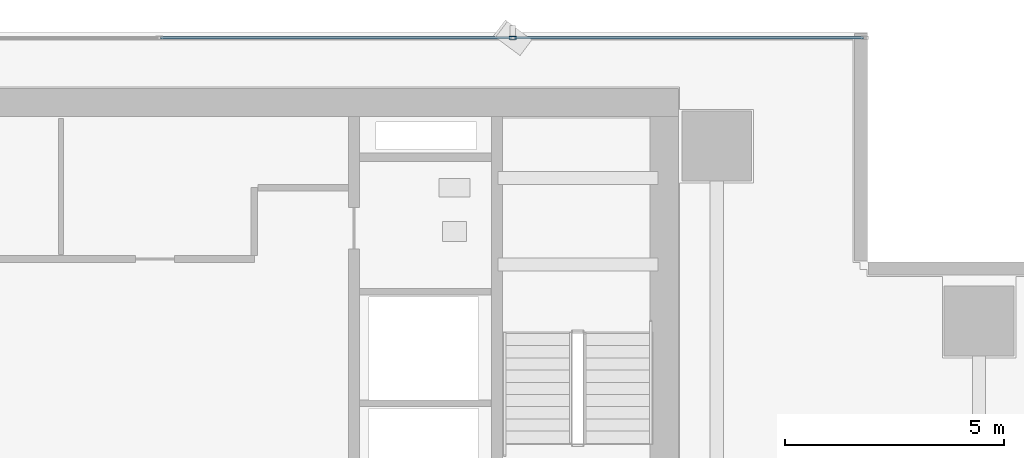
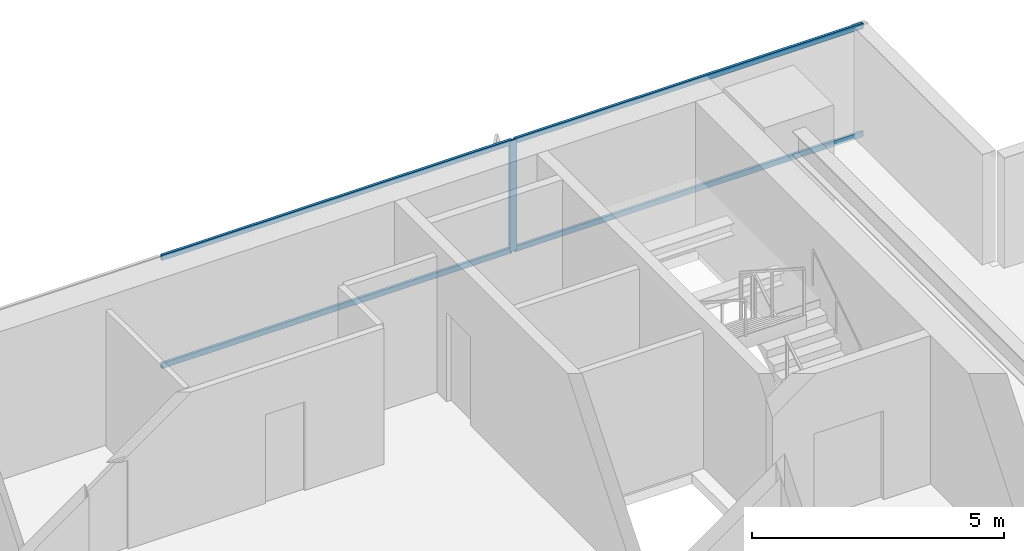
# One storey, part 25 of 36: 5 members, 1 element without a shape of its own.
"""IFC4 building model written with IfcOpenShell, lengths in metres."""

from ifc_helpers import new_model, si_unit, direction, frame, origin, origin_2d, place, context, subcontext, project, spatial, hollow_rectangle, extrude, source, transform, mapped, material, layer, layer_set, material_profile, profile_set, type_object, element, aggregate, save


model = new_model("IFC4")

# Units and contexts
model_context = context("Model", 3, precision=1e-05, world=origin(), true_north=direction((0.0, 1.0)))
body_context = subcontext(model_context, "Body", "Model", "MODEL_VIEW")
ifc_project = project(units=[si_unit("LENGTHUNIT", "METRE"), si_unit("AREAUNIT", "SQUARE_METRE"), si_unit("VOLUMEUNIT", "CUBIC_METRE"), si_unit("PLANEANGLEUNIT", "RADIAN"), si_unit("MASSUNIT", "GRAM", prefix="KILO")], contexts=[model_context])

# Site, building, storey
site_placement = place(None, origin())
site = spatial("IfcSite", under=ifc_project, at=site_placement, CompositionType="ELEMENT")
building_placement = place(site_placement, origin())
building = spatial("IfcBuilding", under=site, at=building_placement, Name="Sumidabori Civic Tower", CompositionType="ELEMENT")
storey_placement = place(building_placement, frame((0.0, 0.0, 120.800048828125)))
storey = spatial("IfcBuildingStorey", under=building, at=storey_placement, Name="L31", CompositionType="ELEMENT", Elevation=120.800048828125)

# Curtain wall, members
ifc_material = material(Name="Anodised Bronze Aluminium AW-6063-T6", Category="aluminium")
ifc_layer = layer(ifc_material, 0.179931640625, Name="Anodised Bronze Aluminium AW-6063-T6")
ifc_layer_set = layer_set([ifc_layer], Name="Anodised Bronze Aluminium AW-6063-T6")
curtain_wall_type = type_object("IfcCurtainWallType", Name="CW-SYS-3", PredefinedType="NOTDEFINED", material=ifc_layer_set)
curtain_wall_placement = place(storey_placement, origin())
curtain_wall = element("IfcCurtainWall", 1, at=curtain_wall_placement, inside=storey, type_object=curtain_wall_type, Name="Curtain Wall CW:L31:R07", PredefinedType="NOTDEFINED")
ifc_material_profile_1 = material_profile(ifc_material, hollow_rectangle(XDim=0.06005859375, YDim=0.1298828125, WallThickness=0.0048828125, at=origin_2d()), Name="ALU TRANSOM 130x60")
ifc_profile_set_1 = profile_set([ifc_material_profile_1], Name="Anodised Bronze Aluminium AW-6063-T6")
member_type_1 = type_object("IfcMemberType", Name="CW-TRN-130", PredefinedType="USERDEFINED", material=ifc_profile_set_1)
shared_shape_1 = source(origin(), body_context, "Body", "SweptSolid", [
    extrude(hollow_rectangle(XDim=0.06005859375, YDim=0.1298828125, WallThickness=0.0048828125, at=origin_2d()), origin(), (0.0, 0.0, 1.0), 7.990478515625),
])
member_1_placement = place(storey_placement, frame((20.155029296875, 25.280029296875, 0.030029296875), z_axis=(-1.0, 0.0, 0.0), x_axis=(0.0, -1.0, 0.0)))
member_1 = element("IfcMember", 2, at=member_1_placement, type_object=member_type_1, Name="CW-3 transom 1.1", ObjectType="TRANSOM", PredefinedType="USERDEFINED", context=body_context, shape_type="MappedRepresentation", body=[
    mapped(shared_shape_1, transform((0.0, 0.0, 0.0), x_axis=(1.0, 0.0, 0.0), y_axis=(0.0, 1.0, 0.0), z_axis=(0.0, 0.0, 1.0), scale=1.0)),
])
member_2_placement = place(storey_placement, frame((20.155029296875, 25.280029296875, 2.64990234375), z_axis=(-1.0, 0.0, 0.0), x_axis=(0.0, -1.0, 0.0)))
member_2 = element("IfcMember", 3, at=member_2_placement, type_object=member_type_1, Name="CW-3 transom 1.2", ObjectType="TRANSOM", PredefinedType="USERDEFINED", context=body_context, shape_type="MappedRepresentation", body=[
    mapped(shared_shape_1, transform((0.0, 0.0, 0.0), x_axis=(1.0, 0.0, 0.0), y_axis=(0.0, 1.0, 0.0), z_axis=(0.0, 0.0, 1.0), scale=1.0)),
])
shared_shape_2 = source(origin(), body_context, "Body", "SweptSolid", [
    extrude(hollow_rectangle(XDim=0.06005859375, YDim=0.1298828125, WallThickness=0.0048828125, at=origin_2d()), origin(), (0.0, 0.0, 1.0), 8.023193359375),
])
member_3_placement = place(storey_placement, frame((12.099609375, 25.280029296875, 0.030029296875), z_axis=(-1.0, 0.0, 0.0), x_axis=(0.0, -1.0, 0.0)))
member_3 = element("IfcMember", 4, at=member_3_placement, type_object=member_type_1, Name="CW-3 transom 2.1", ObjectType="TRANSOM", PredefinedType="USERDEFINED", context=body_context, shape_type="MappedRepresentation", body=[
    mapped(shared_shape_2, transform((0.0, 0.0, 0.0), x_axis=(1.0, 0.0, 0.0), y_axis=(0.0, 1.0, 0.0), z_axis=(0.0, 0.0, 1.0), scale=1.0)),
])
member_4_placement = place(storey_placement, frame((12.099609375, 25.280029296875, 2.64990234375), z_axis=(-1.0, 0.0, 0.0), x_axis=(0.0, -1.0, 0.0)))
member_4 = element("IfcMember", 5, at=member_4_placement, type_object=member_type_1, Name="CW-3 transom 2.2", ObjectType="TRANSOM", PredefinedType="USERDEFINED", context=body_context, shape_type="MappedRepresentation", body=[
    mapped(shared_shape_2, transform((0.0, 0.0, 0.0), x_axis=(1.0, 0.0, 0.0), y_axis=(0.0, 1.0, 0.0), z_axis=(0.0, 0.0, 1.0), scale=1.0)),
])
ifc_material_profile_2 = material_profile(ifc_material, hollow_rectangle(XDim=0.06494140625, YDim=0.159912109375, WallThickness=0.0048828125, at=origin_2d()), Name="ALU MULLION 160x65")
ifc_profile_set_2 = profile_set([ifc_material_profile_2], Name="Anodised Bronze Aluminium AW-6063-T6")
member_type_2 = type_object("IfcMemberType", Name="CW-MUL-160", PredefinedType="MULLION", material=ifc_profile_set_2)
shared_shape_3 = source(origin(), body_context, "Body", "SweptSolid", [
    extrude(hollow_rectangle(XDim=0.06494140625, YDim=0.159912109375, WallThickness=0.0048828125, at=origin_2d()), origin(), (0.0, 0.0, 1.0), 2.679931640625),
])
member_5_placement = place(storey_placement, frame((12.132080078125, 25.280029296875, 0.0), z_axis=(0.0, 0.0, 1.0), x_axis=(0.0, -1.0, 0.0)))
member_5 = element("IfcMember", 6, at=member_5_placement, type_object=member_type_2, Name="CW-3 mullion 2", PredefinedType="MULLION", context=body_context, shape_type="MappedRepresentation", body=[
    mapped(shared_shape_3, transform((0.0, 0.0, 0.0), x_axis=(1.0, 0.0, 0.0), y_axis=(0.0, 1.0, 0.0), z_axis=(0.0, 0.0, 1.0), scale=1.0)),
])
aggregate(curtain_wall, [member_5, member_1, member_2, member_3, member_4])

save(model, "model.ifc")
